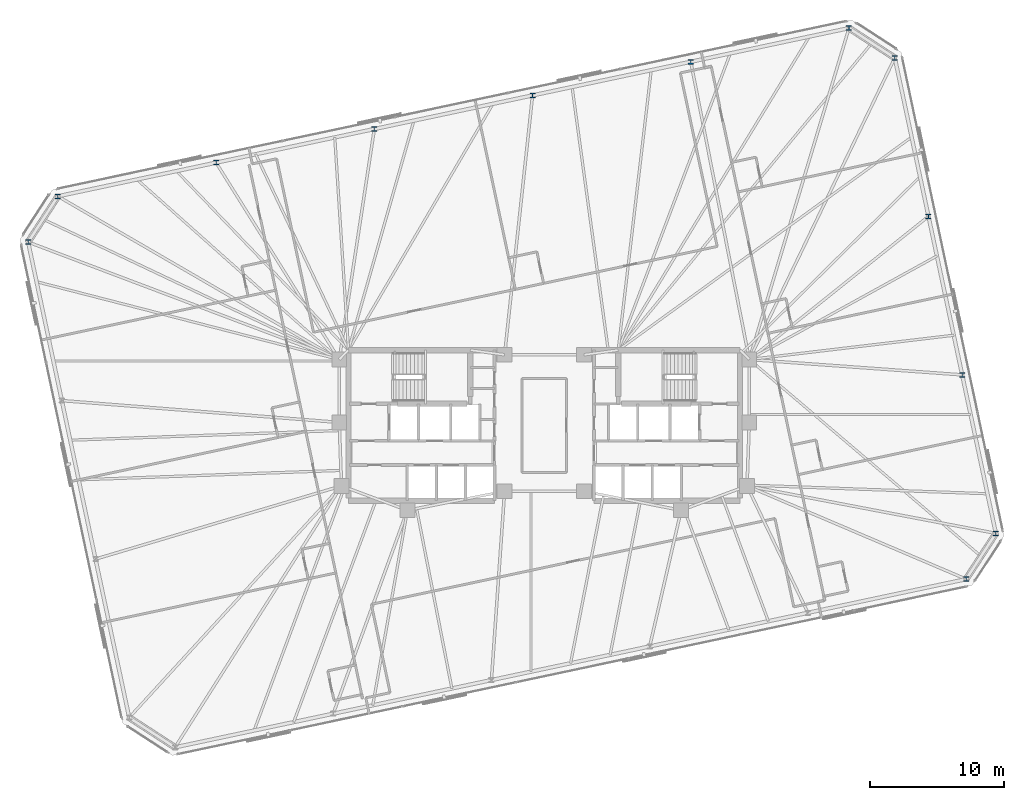
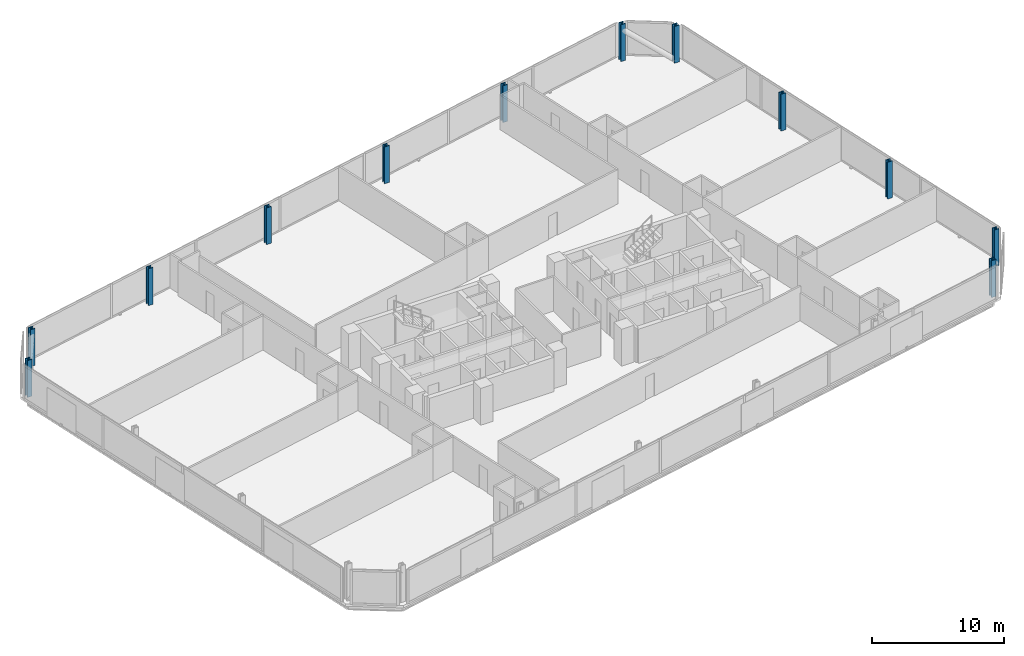
# One storey, part 5 of 19: 12 columns.
"""IFC4 building model written with IfcOpenShell, lengths in metres."""

from ifc_helpers import new_model, si_unit, direction, frame, origin, origin_2d, place, context, subcontext, project, spatial, i_section, extrude, material, material_profile, profile_set, type_object, element, save


model = new_model("IFC4")

# Units and contexts
model_context = context("Model", 3, precision=1e-05, world=origin(), true_north=direction((0.0, 1.0)))
body_context = subcontext(model_context, "Body", "Model", "MODEL_VIEW")
ifc_project = project(units=[si_unit("LENGTHUNIT", "METRE"), si_unit("AREAUNIT", "SQUARE_METRE"), si_unit("VOLUMEUNIT", "CUBIC_METRE"), si_unit("PLANEANGLEUNIT", "RADIAN"), si_unit("MASSUNIT", "GRAM", prefix="KILO")], contexts=[model_context])

# Site, building, storey
site_placement = place(None, origin())
site = spatial("IfcSite", under=ifc_project, at=site_placement, CompositionType="ELEMENT")
building_placement = place(site_placement, origin())
building = spatial("IfcBuilding", under=site, at=building_placement, Name="Menara Jurai Vektor", CompositionType="ELEMENT")
storey_placement = place(building_placement, frame((0.0, 0.0, 151.39990234375)))
storey = spatial("IfcBuildingStorey", under=building, at=storey_placement, Name="L38", CompositionType="ELEMENT", Elevation=151.39990234375)

# Columns
ifc_material = material(Name="Steel S460", Category="steel")
ifc_material_profile = material_profile(ifc_material, i_section(OverallWidth=0.408935546875, OverallDepth=0.3740234375, WebThickness=0.048095703125, FlangeThickness=0.076904296875, FilletRadius=0.014892578125, at=origin_2d()), Name="HD 400x634")
ifc_profile_set = profile_set([ifc_material_profile], Name="Steel S460")
column_type = type_object("IfcColumnType", Name="STR-EXO-BLK3", PredefinedType="COLUMN", material=ifc_profile_set)
for number, where, z_axis, x_axis, name in (
    (1, (31.376220703125, -11.438720703125, 0.0), (0.0, 0.0, 1.0), (1.0, 0.0, 0.0), "Exoskeleton Column BLK3-S6 L38"),
    (2, (33.588623046875, -8.031982421875, 0.0), (0.0, 0.0, 1.0), (1.0, 0.0, 0.0), "Exoskeleton Column BLK3-E1 L38"),
    (3, (31.082763671875, 3.75634765625, 0.0), (0.0, 0.0, 1.0), (1.0, 0.0, 0.0), "Exoskeleton Column BLK3-E2 L38"),
    (4, (28.5771484375, 15.544921875, 0.0), (0.0, 0.0, 1.0), (1.0, 0.0, 0.0), "Exoskeleton Column BLK3-E3 L38"),
    (5, (26.0712890625, 27.33349609375, 0.0), (0.0, 0.0, 1.0), (1.0, 0.0, 0.0), "Exoskeleton Column BLK3-E4 L38"),
    (6, (22.664794921875, 29.545654296875, 0.0), (0.0, 0.0, 1.0), (1.0, 0.0, 0.0), "Exoskeleton Column BLK3-N1 L38"),
    (7, (10.896484375, 27.044189453125, 0.0), (0.0, 0.0, 1.0), (1.0, 0.0, 0.0), "Exoskeleton Column BLK3-N2 L38"),
    (8, (-0.87158203125, 24.54296875, 0.0), (0.0, 0.0, 1.0), (1.0, 0.0, 0.0), "Exoskeleton Column BLK3-N3 L38"),
    (9, (-12.639892578125, 22.04150390625, 0.0), (0.0, 0.0, 1.0), (1.0, 0.0, 0.0), "Exoskeleton Column BLK3-N4 L38"),
    (10, (-24.407958984375, 19.5400390625, 0.0), (0.0, 0.0, 1.0), (1.0, 0.0, 0.0), "Exoskeleton Column BLK3-N5 L38"),
    (11, (-36.17626953125, 17.03857421875, 0.0), (0.0, 0.0, 1.0), (1.0, 0.0, 0.0), "Exoskeleton Column BLK3-N6 L38"),
    (12, (-38.388671875, 13.632080078125, 0.0), (0.0, 0.0, 1.0), (1.0, 0.0, 0.0), "Exoskeleton Column BLK3-W1 L38"),
):
    element("IfcColumn", number, at=place(storey_placement, frame(where, z_axis=z_axis, x_axis=x_axis)), inside=storey, type_object=column_type, Name=name, PredefinedType="COLUMN", context=body_context, shape_type="SweptSolid", body=[
        extrude(i_section(OverallWidth=0.408935546875, OverallDepth=0.3740234375, WebThickness=0.048095703125, FlangeThickness=0.076904296875, FilletRadius=0.014892578125, at=origin_2d()), origin(), (0.0, 0.0, 1.0), 3.400146484375),
    ])

save(model, "model.ifc")
